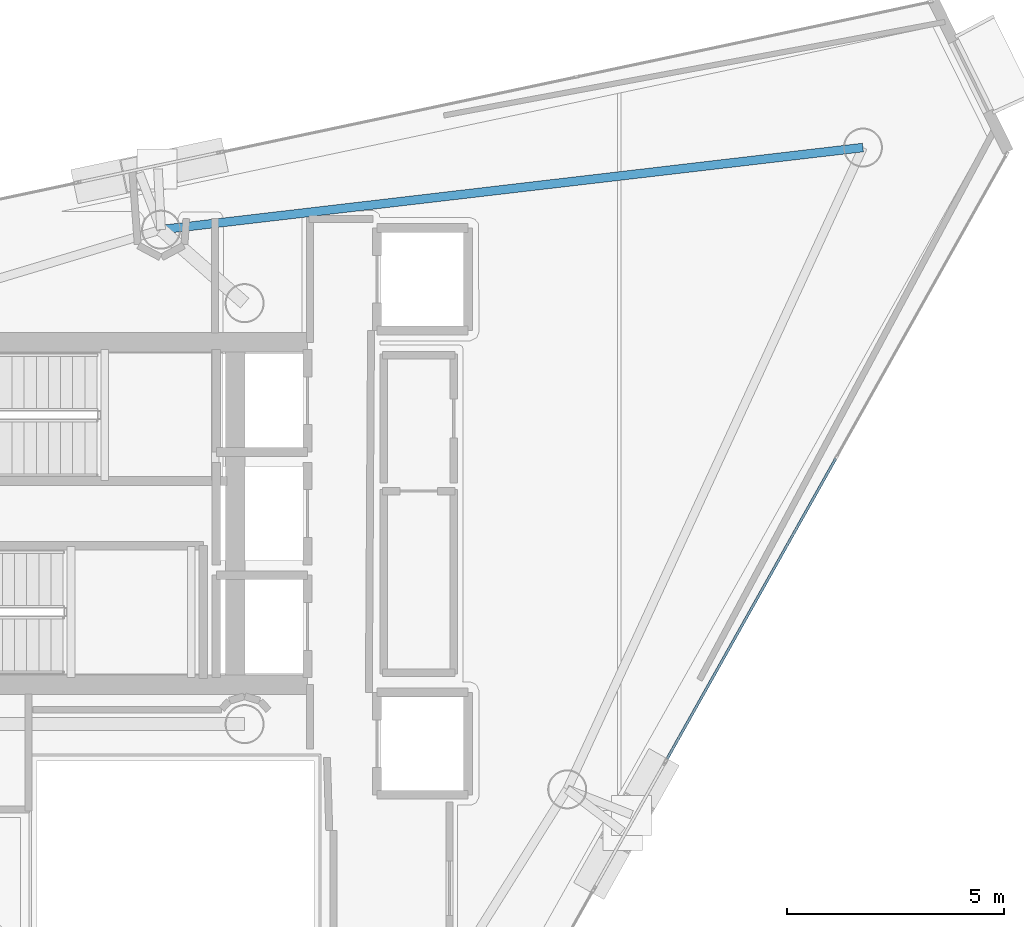
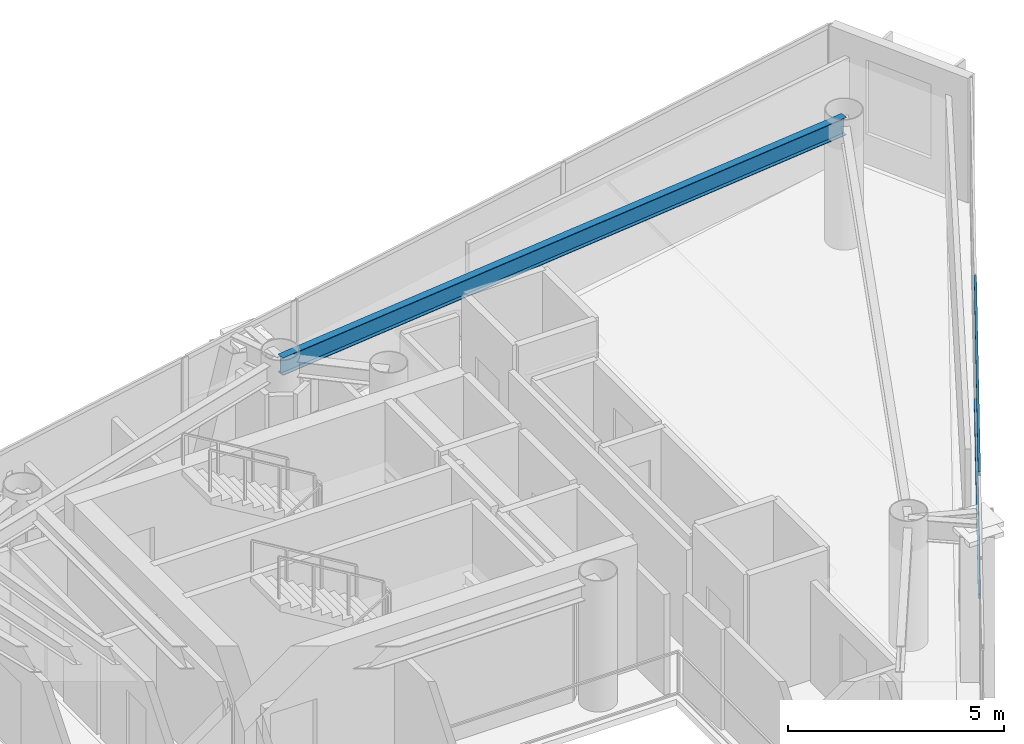
# One storey, part 14 of 21: 2 members, 1 beam, 1 element without a shape of its own.
"""IFC4 building model written with IfcOpenShell, lengths in metres."""

from ifc_helpers import new_model, si_unit, direction, frame, origin, origin_2d, place, context, subcontext, project, spatial, hollow_rectangle, i_section, extrude, material, layer, layer_set, material_profile, profile_set, type_object, element, aggregate, save


model = new_model("IFC4")

# Units and contexts
model_context = context("Model", 3, precision=1e-05, world=origin(), true_north=direction((0.0, 1.0)))
body_context = subcontext(model_context, "Body", "Model", "MODEL_VIEW")
ifc_project = project(units=[si_unit("LENGTHUNIT", "METRE"), si_unit("AREAUNIT", "SQUARE_METRE"), si_unit("VOLUMEUNIT", "CUBIC_METRE"), si_unit("PLANEANGLEUNIT", "RADIAN"), si_unit("MASSUNIT", "GRAM", prefix="KILO")], contexts=[model_context])

# Site, building, storey
site_placement = place(None, origin())
site = spatial("IfcSite", under=ifc_project, at=site_placement, CompositionType="ELEMENT")
building_placement = place(site_placement, origin())
building = spatial("IfcBuilding", under=site, at=building_placement, Name="Qianvela Tower", CompositionType="ELEMENT")
storey_placement = place(building_placement, frame((0.0, 0.0, 302.800048828125)))
storey = spatial("IfcBuildingStorey", under=building, at=storey_placement, Name="L78", CompositionType="ELEMENT", Elevation=302.800048828125)

# Beam
ifc_material_1 = material(Name="Steel Q355B", Category="steel")
ifc_material_profile_1 = material_profile(ifc_material_1, i_section(OverallWidth=0.199951171875, OverallDepth=0.5, WebThickness=0.010009765625, FlangeThickness=0.01611328125, at=origin_2d()), Name="HN500x200x10x16")
ifc_profile_set_1 = profile_set([ifc_material_profile_1], Name="Steel Q355B")
beam_type = type_object("IfcBeamType", Name="BM-HN500-GIRD", PredefinedType="BEAM", material=ifc_profile_set_1)
beam_placement = place(storey_placement, frame((52.64794921875, 37.135009765625, 3.26806640625), z_axis=(-0.993225117092, -0.116206139153, 0.0), x_axis=(0.116206139153, -0.993225117092, 0.0)))
element("IfcBeam", 1, at=beam_placement, inside=storey, type_object=beam_type, Name="L78 Perimeter Ring Spandrel Girder 1", PredefinedType="BEAM", context=body_context, shape_type="SweptSolid", body=[
    extrude(i_section(OverallWidth=0.199951171875, OverallDepth=0.5, WebThickness=0.010009765625, FlangeThickness=0.01611328125, at=origin_2d()), origin(), (0.0, 0.0, 1.0), 16.2822265625),
])

# Curtain wall, members
ifc_material_2 = material(Name="Anodised Architectural Aluminium and Low-E Glass", Category="aluminium")
ifc_layer = layer(ifc_material_2, 0.14990234375)
ifc_layer_set = layer_set([ifc_layer], Name="Anodised Architectural Aluminium and Low-E Glass")
curtain_wall_type = type_object("IfcCurtainWallType", Name="CW-COLIV-Z78", PredefinedType="USERDEFINED", material=ifc_layer_set)
curtain_wall_placement = place(storey_placement, origin())
curtain_wall = element("IfcCurtainWall", 2, at=curtain_wall_placement, inside=storey, type_object=curtain_wall_type, Name="L78 CW-COLIV-Z78 Curtain Wall 06C", ObjectType="CURTAIN_WALL_SYSTEM", PredefinedType="USERDEFINED")
ifc_material_3 = material(Name="Anodised Architectural Aluminium 6063-T6", Category="aluminium")
ifc_material_profile_2 = material_profile(ifc_material_3, hollow_rectangle(XDim=0.06005859375, YDim=0.114990234375, WallThickness=0.00390625, at=origin_2d()), Name="ALU-TRAN-60x115")
ifc_profile_set_2 = profile_set([ifc_material_profile_2], Name="Anodised Architectural Aluminium 6063-T6")
member_type = type_object("IfcMemberType", Name="CW-COLIV-Z78-TRAN", PredefinedType="USERDEFINED", material=ifc_profile_set_2)
member_1_placement = place(storey_placement, frame((48.136962890625, 23.05224609375, 0.030029296875), z_axis=(0.48978793675, 0.871841600874, 0.0), x_axis=(-0.871841600874, 0.48978793675, 0.0)))
member_1 = element("IfcMember", 3, at=member_1_placement, type_object=member_type, Name="CW-6 transom 1.1", ObjectType="TRANSOM", PredefinedType="USERDEFINED", context=body_context, shape_type="SweptSolid", body=[
    extrude(hollow_rectangle(XDim=0.06005859375, YDim=0.114990234375, WallThickness=0.00390625, at=origin_2d()), origin(), (0.0, 0.0, 1.0), 7.93603515625),
])
member_2_placement = place(storey_placement, frame((48.136962890625, 23.05224609375, 3.489990234375), z_axis=(0.48978793675, 0.871841600874, 0.0), x_axis=(-0.871841600874, 0.48978793675, 0.0)))
member_2 = element("IfcMember", 4, at=member_2_placement, type_object=member_type, Name="CW-6 transom 1.2", ObjectType="TRANSOM", PredefinedType="USERDEFINED", context=body_context, shape_type="SweptSolid", body=[
    extrude(hollow_rectangle(XDim=0.06005859375, YDim=0.114990234375, WallThickness=0.00390625, at=origin_2d()), origin(), (0.0, 0.0, 1.0), 7.93603515625),
])
aggregate(curtain_wall, [member_1, member_2])

save(model, "model.ifc")
